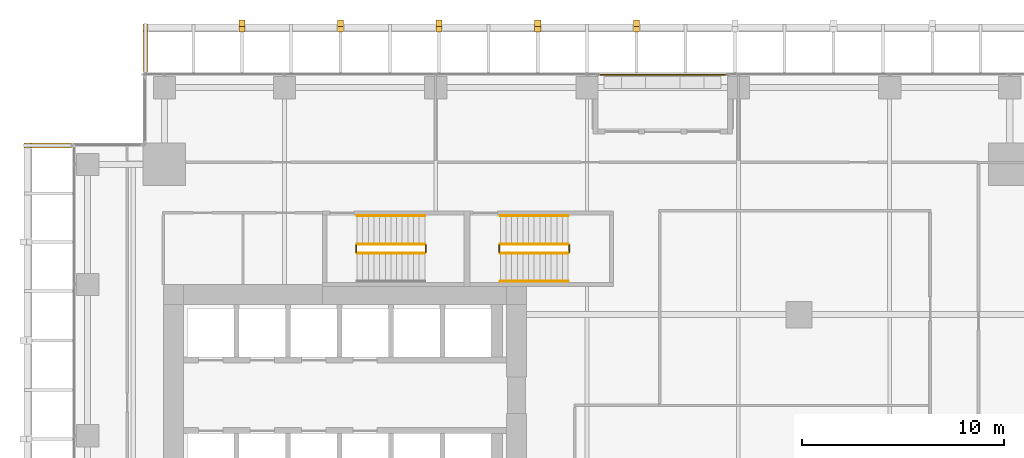
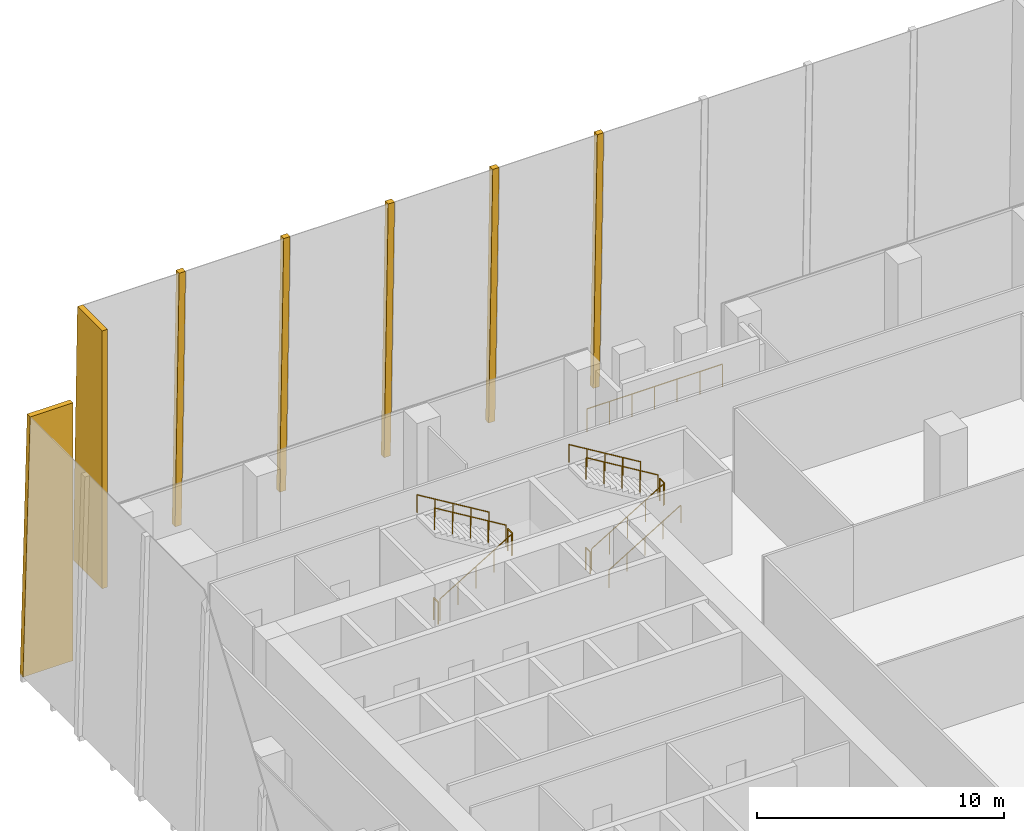
# One storey, part 32 of 34: 12 railings, 7 coverings.
"""IFC4 building model written with IfcOpenShell, lengths in metres."""

from ifc_helpers import new_model, si_unit, direction, frame, origin, origin_2d, place, context, subcontext, project, spatial, polyline, circle, outline, extrude, source, transform, mapped, material, layer, layer_set, type_object, element, save


model = new_model("IFC4")

# Units and contexts
model_context = context("Model", 3, precision=1e-05, world=origin(), true_north=direction((0.0, 1.0)))
body_context = subcontext(model_context, "Body", "Model", "MODEL_VIEW")
ifc_project = project(units=[si_unit("LENGTHUNIT", "METRE"), si_unit("AREAUNIT", "SQUARE_METRE"), si_unit("VOLUMEUNIT", "CUBIC_METRE"), si_unit("PLANEANGLEUNIT", "RADIAN"), si_unit("MASSUNIT", "GRAM", prefix="KILO")], contexts=[model_context])

# Site, building, storey
site_placement = place(None, origin())
site = spatial("IfcSite", under=ifc_project, at=site_placement, CompositionType="ELEMENT")
building_placement = place(site_placement, origin())
building = spatial("IfcBuilding", under=site, at=building_placement, Name="Khomas Fold Tower", CompositionType="ELEMENT")
storey_placement = place(building_placement, frame((0.0, 0.0, 114.699951171875)))
storey = spatial("IfcBuildingStorey", under=building, at=storey_placement, Name="L24", CompositionType="ELEMENT", Elevation=114.699951171875)

# Coverings
ifc_material_1 = material(Name="Natural stone cladding", Category="masonry")
ifc_layer = layer(ifc_material_1, 0.25)
ifc_layer_set = layer_set([ifc_layer], Name="Natural stone cladding")
covering_type = type_object("IfcCoveringType", Name="SK-Karibib marble stone mullion", PredefinedType="CLADDING", material=ifc_layer_set)
for number, where, z_axis, x_axis, name in (
    (1, (9.73876953125, 55.104248046875, 0.006591796875), (0.0, 0.999657592188, 0.026166741891), (1.0, 0.0, 0.0), "OUTER SKIN mullion L24 N2"),
    (2, (14.627685546875, 55.104248046875, 0.006591796875), (0.0, 0.999657592188, 0.026166741891), (1.0, 0.0, 0.0), "OUTER SKIN mullion L24 N4"),
    (3, (19.5166015625, 55.104248046875, 0.006591796875), (0.0, 0.999657592188, 0.026166741891), (1.0, 0.0, 0.0), "OUTER SKIN mullion L24 N6"),
    (4, (24.405517578125, 55.104248046875, 0.006591796875), (0.0, 0.999657592188, 0.026166741891), (1.0, 0.0, 0.0), "OUTER SKIN mullion L24 N8"),
    (5, (29.29443359375, 55.104248046875, 0.006591796875), (0.0, 0.999657592188, 0.026166741891), (1.0, 0.0, 0.0), "OUTER SKIN mullion L24 N10"),
):
    element("IfcCovering", number, at=place(storey_placement, frame(where, z_axis=z_axis, x_axis=x_axis)), inside=storey, type_object=covering_type, Name=name, PredefinedType="CLADDING", context=body_context, shape_type="SweptSolid", body=[
        extrude(outline(polyline([(0.0, 0.0), (0.300048828125, 0.0), (0.300048828125, -12.754367194966619), (0.0, -12.754367194966619), (0.0, 0.0)])), origin(), (0.0, 0.0, -1.0), 0.25),
    ])
covering_1_placement = place(storey_placement, frame((5.0, 52.550048828125, 12.75), z_axis=(-1.0, 0.0, 0.0), x_axis=(0.0, 1.0, 0.0)))
element("IfcCovering", 6, at=covering_1_placement, inside=storey, type_object=covering_type, Name="OUTER SKIN return L24 N1", PredefinedType="CLADDING", context=body_context, shape_type="SweptSolid", body=[
    extrude(outline(polyline([(0.0, 0.0), (2.010498046875, 0.0), (2.34423828125, 12.75), (0.0, 12.75), (0.0, 0.0)])), origin(), (0.0, 0.0, -1.0), 0.25),
])
covering_2_placement = place(storey_placement, frame((1.449951171875, 49.0, 0.0), z_axis=(0.0, 1.0, 0.0), x_axis=(-1.0, 0.0, 0.0)))
element("IfcCovering", 7, at=covering_2_placement, inside=storey, type_object=covering_type, Name="OUTER SKIN return L24 W2", PredefinedType="CLADDING", context=body_context, shape_type="SweptSolid", body=[
    extrude(outline(polyline([(0.0, 0.0), (2.34423828125, 0.0), (2.010498046875, 12.75), (0.0, 12.75), (0.0, 0.0)])), origin(), (0.0, 0.0, -1.0), 0.25),
])

# Railings
ifc_material_2 = material(Name="Powder-coated steel", Category="steel")
railing_type_1 = type_object("IfcRailingType", Name="Balcony guard", PredefinedType="GUARDRAIL", material=ifc_material_2)
shared_shape_1 = source(origin(), body_context, "Body", "SweptSolid", [
    extrude(circle(Radius=0.02490234375, at=origin_2d()), frame((0.0, 0.0, 1.125), z_axis=(1.0, 0.0, 0.0), x_axis=(0.0, 1.0, 0.0)), (0.0, 0.0, 1.0), 6.33984375),
    extrude(circle(Radius=0.02001953125, at=origin_2d()), origin(), (0.0, 0.0, 1.0), 1.099853515625),
    extrude(circle(Radius=0.02001953125, at=origin_2d()), frame((1.056640625, 0.0, 0.0)), (0.0, 0.0, 1.0), 1.099853515625),
    extrude(circle(Radius=0.02001953125, at=origin_2d()), frame((2.11328125, 0.0, 0.0)), (0.0, 0.0, 1.0), 1.099853515625),
    extrude(circle(Radius=0.02001953125, at=origin_2d()), frame((3.169921875, 0.0, 0.0)), (0.0, 0.0, 1.0), 1.099853515625),
    extrude(circle(Radius=0.02001953125, at=origin_2d()), frame((4.2265625, 0.0, 0.0)), (0.0, 0.0, 1.0), 1.099853515625),
    extrude(circle(Radius=0.02001953125, at=origin_2d()), frame((5.283203125, 0.0, 0.0)), (0.0, 0.0, 1.0), 1.099853515625),
    extrude(circle(Radius=0.02001953125, at=origin_2d()), frame((6.33984375, 0.0, 0.0)), (0.0, 0.0, 1.0), 1.099853515625),
])
railing_1_placement = place(storey_placement, frame((27.580078125, 52.39990234375, -0.044921875)))
element("IfcRailing", 8, at=railing_1_placement, inside=storey, type_object=railing_type_1, Name="Balcony guard BAL-L24-N3", PredefinedType="GUARDRAIL", context=body_context, shape_type="MappedRepresentation", body=[
    mapped(shared_shape_1, transform((0.0, 0.0, 0.0))),
])
ifc_material_3 = material(Name="Steel balustrade", Category="steel")
railing_type_2 = type_object("IfcRailingType", Name="Stair guard", PredefinedType="GUARDRAIL", material=ifc_material_3)
shared_shape_2 = source(origin(), body_context, "Body", "SweptSolid", [
    extrude(circle(Radius=0.02392578125, at=origin_2d()), frame((0.0, 0.0, 1.076171875), z_axis=(0.0, 1.0, 0.0), x_axis=(-1.0, 0.0, 0.0)), (0.0, 0.0, 1.0), 0.349853515625),
    extrude(circle(Radius=0.02099609375, at=origin_2d()), origin(), (0.0, 0.0, 1.0), 1.052001953125),
    extrude(circle(Radius=0.02099609375, at=origin_2d()), frame((0.0, 0.349853515625, 0.0)), (0.0, 0.0, 1.0), 1.052001953125),
])
for number, where, name in (
    (9, (19.010009765625, 43.60009765625, 2.199951171875), "L24 ST1 stair guard 2"),
    (10, (15.550048828125, 43.60009765625, 0.0), "L24 ST1 stair guard 4"),
    (11, (26.110107421875, 43.60009765625, 2.199951171875), "L24 ST3 stair guard 2"),
    (12, (22.64990234375, 43.60009765625, 0.0), "L24 ST3 stair guard 4"),
):
    element("IfcRailing", number, at=place(storey_placement, frame(where)), inside=storey, type_object=railing_type_2, Name=name, PredefinedType="GUARDRAIL", context=body_context, shape_type="MappedRepresentation", body=[
        mapped(shared_shape_2, transform((0.0, 0.0, 0.0))),
    ])
shared_shape_3 = source(origin(), body_context, "Body", "SweptSolid", [
    extrude(circle(Radius=0.02392578125, at=origin_2d()), frame((0.0, 0.0, 1.076171875), z_axis=(0.855820338506, 0.0, 0.51727318527), x_axis=(0.0, 1.0, 0.0)), (0.0, 0.0, 1.0), 3.92578125),
    extrude(circle(Radius=0.02099609375, at=origin_2d()), origin(), (0.0, 0.0, 1.0), 1.052001953125),
    extrude(circle(Radius=0.02099609375, at=origin_2d()), frame((0.83984375, 0.0, 0.5078125)), (0.0, 0.0, 1.0), 1.052001953125),
    extrude(circle(Radius=0.02099609375, at=origin_2d()), frame((1.679931640625, 0.0, 1.015380859375)), (0.0, 0.0, 1.0), 1.052001953125),
    extrude(circle(Radius=0.02099609375, at=origin_2d()), frame((2.52001953125, 0.0, 1.52294921875)), (0.0, 0.0, 1.0), 1.052001953125),
    extrude(circle(Radius=0.02099609375, at=origin_2d()), frame((3.35986328125, 0.0, 2.03076171875)), (0.0, 0.0, 1.0), 1.052001953125),
])
railing_2_placement = place(storey_placement, frame((15.60009765625, 43.550048828125, 0.169189453125)))
element("IfcRailing", 13, at=railing_2_placement, inside=storey, type_object=railing_type_2, Name="L24 ST1 stair guard 1", PredefinedType="GUARDRAIL", context=body_context, shape_type="MappedRepresentation", body=[
    mapped(shared_shape_3, transform((0.0, 0.0, 0.0))),
])
shared_shape_4 = source(origin(), body_context, "Body", "SweptSolid", [
    extrude(circle(Radius=0.02392578125, at=origin_2d()), frame((0.0, 0.0, 1.076171875), z_axis=(-0.855820338506, 0.0, 0.51727318527), x_axis=(0.0, -1.0, 0.0)), (0.0, 0.0, 1.0), 3.92578125),
    extrude(circle(Radius=0.02099609375, at=origin_2d()), origin(), (0.0, 0.0, 1.0), 1.052001953125),
    extrude(circle(Radius=0.02099609375, at=origin_2d()), frame((-0.83984375, 0.0, 0.5078125)), (0.0, 0.0, 1.0), 1.052001953125),
    extrude(circle(Radius=0.02099609375, at=origin_2d()), frame((-1.679931640625, 0.0, 1.015380859375)), (0.0, 0.0, 1.0), 1.052001953125),
    extrude(circle(Radius=0.02099609375, at=origin_2d()), frame((-2.52001953125, 0.0, 1.52294921875)), (0.0, 0.0, 1.0), 1.052001953125),
    extrude(circle(Radius=0.02099609375, at=origin_2d()), frame((-3.35986328125, 0.0, 2.03076171875)), (0.0, 0.0, 1.0), 1.052001953125),
])
railing_3_placement = place(storey_placement, frame((18.9599609375, 44.0, 2.369384765625)))
element("IfcRailing", 14, at=railing_3_placement, inside=storey, type_object=railing_type_2, Name="L24 ST1 stair guard 3", PredefinedType="GUARDRAIL", context=body_context, shape_type="MappedRepresentation", body=[
    mapped(shared_shape_4, transform((0.0, 0.0, 0.0))),
])
ifc_material_4 = material(Name="Steel handrail", Category="steel")
railing_type_3 = type_object("IfcRailingType", Name="Stair handrail", PredefinedType="HANDRAIL", material=ifc_material_4)
shared_shape_5 = source(origin(), body_context, "Body", "SweptSolid", [
    extrude(circle(Radius=0.02392578125, at=origin_2d()), frame((0.0, 0.0, 0.8759765625), z_axis=(-0.855820338506, 0.0, 0.51727318527), x_axis=(0.0, -1.0, 0.0)), (0.0, 0.0, 1.0), 3.92578125),
    extrude(circle(Radius=0.02099609375, at=origin_2d()), origin(), (0.0, 0.0, 1.0), 0.851806640625),
    extrude(circle(Radius=0.02099609375, at=origin_2d()), frame((-0.83984375, 0.0, 0.5078125)), (0.0, 0.0, 1.0), 0.851806640625),
    extrude(circle(Radius=0.02099609375, at=origin_2d()), frame((-1.679931640625, 0.0, 1.015380859375)), (0.0, 0.0, 1.0), 0.851806640625),
    extrude(circle(Radius=0.02099609375, at=origin_2d()), frame((-2.52001953125, 0.0, 1.52294921875)), (0.0, 0.0, 1.0), 0.851806640625),
    extrude(circle(Radius=0.02099609375, at=origin_2d()), frame((-3.35986328125, 0.0, 2.03076171875)), (0.0, 0.0, 1.0), 0.851806640625),
])
railing_4_placement = place(storey_placement, frame((18.9599609375, 45.39990234375, 2.369384765625)))
element("IfcRailing", 15, at=railing_4_placement, inside=storey, type_object=railing_type_3, Name="L24 ST1 stair handrail 2", PredefinedType="HANDRAIL", context=body_context, shape_type="MappedRepresentation", body=[
    mapped(shared_shape_5, transform((0.0, 0.0, 0.0))),
])
shared_shape_6 = source(origin(), body_context, "Body", "SweptSolid", [
    extrude(circle(Radius=0.02392578125, at=origin_2d()), frame((0.0, 0.0, 1.076171875), z_axis=(0.855836976705, 0.0, 0.517245656632), x_axis=(0.0, 1.0, 0.0)), (0.0, 0.0, 1.0), 3.926025390625),
    extrude(circle(Radius=0.02099609375, at=origin_2d()), origin(), (0.0, 0.0, 1.0), 1.052001953125),
    extrude(circle(Radius=0.02099609375, at=origin_2d()), frame((0.840087890625, 0.0, 0.5078125)), (0.0, 0.0, 1.0), 1.052001953125),
    extrude(circle(Radius=0.02099609375, at=origin_2d()), frame((1.68017578125, 0.0, 1.015380859375)), (0.0, 0.0, 1.0), 1.052001953125),
    extrude(circle(Radius=0.02099609375, at=origin_2d()), frame((2.52001953125, 0.0, 1.52294921875)), (0.0, 0.0, 1.0), 1.052001953125),
    extrude(circle(Radius=0.02099609375, at=origin_2d()), frame((3.360107421875, 0.0, 2.03076171875)), (0.0, 0.0, 1.0), 1.052001953125),
])
railing_5_placement = place(storey_placement, frame((22.699951171875, 43.550048828125, 0.169189453125)))
element("IfcRailing", 16, at=railing_5_placement, inside=storey, type_object=railing_type_2, Name="L24 ST3 stair guard 1", PredefinedType="GUARDRAIL", context=body_context, shape_type="MappedRepresentation", body=[
    mapped(shared_shape_6, transform((0.0, 0.0, 0.0))),
])
shared_shape_7 = source(origin(), body_context, "Body", "SweptSolid", [
    extrude(circle(Radius=0.02392578125, at=origin_2d()), frame((0.0, 0.0, 1.076171875), z_axis=(-0.855836976705, 0.0, 0.517245656632), x_axis=(0.0, -1.0, 0.0)), (0.0, 0.0, 1.0), 3.926025390625),
    extrude(circle(Radius=0.02099609375, at=origin_2d()), origin(), (0.0, 0.0, 1.0), 1.052001953125),
    extrude(circle(Radius=0.02099609375, at=origin_2d()), frame((-0.840087890625, 0.0, 0.5078125)), (0.0, 0.0, 1.0), 1.052001953125),
    extrude(circle(Radius=0.02099609375, at=origin_2d()), frame((-1.68017578125, 0.0, 1.015380859375)), (0.0, 0.0, 1.0), 1.052001953125),
    extrude(circle(Radius=0.02099609375, at=origin_2d()), frame((-2.52001953125, 0.0, 1.52294921875)), (0.0, 0.0, 1.0), 1.052001953125),
    extrude(circle(Radius=0.02099609375, at=origin_2d()), frame((-3.360107421875, 0.0, 2.03076171875)), (0.0, 0.0, 1.0), 1.052001953125),
])
railing_6_placement = place(storey_placement, frame((26.06005859375, 44.0, 2.369384765625)))
element("IfcRailing", 17, at=railing_6_placement, inside=storey, type_object=railing_type_2, Name="L24 ST3 stair guard 3", PredefinedType="GUARDRAIL", context=body_context, shape_type="MappedRepresentation", body=[
    mapped(shared_shape_7, transform((0.0, 0.0, 0.0))),
])
shared_shape_8 = source(origin(), body_context, "Body", "SweptSolid", [
    extrude(circle(Radius=0.02392578125, at=origin_2d()), frame((0.0, 0.0, 0.8759765625), z_axis=(0.855836976705, 0.0, 0.517245656632), x_axis=(0.0, 1.0, 0.0)), (0.0, 0.0, 1.0), 3.926025390625),
    extrude(circle(Radius=0.02099609375, at=origin_2d()), origin(), (0.0, 0.0, 1.0), 0.851806640625),
    extrude(circle(Radius=0.02099609375, at=origin_2d()), frame((0.840087890625, 0.0, 0.5078125)), (0.0, 0.0, 1.0), 0.851806640625),
    extrude(circle(Radius=0.02099609375, at=origin_2d()), frame((1.68017578125, 0.0, 1.015380859375)), (0.0, 0.0, 1.0), 0.851806640625),
    extrude(circle(Radius=0.02099609375, at=origin_2d()), frame((2.52001953125, 0.0, 1.52294921875)), (0.0, 0.0, 1.0), 0.851806640625),
    extrude(circle(Radius=0.02099609375, at=origin_2d()), frame((3.360107421875, 0.0, 2.03076171875)), (0.0, 0.0, 1.0), 0.851806640625),
])
railing_7_placement = place(storey_placement, frame((22.699951171875, 42.14990234375, 0.169189453125)))
element("IfcRailing", 18, at=railing_7_placement, inside=storey, type_object=railing_type_3, Name="L24 ST3 stair handrail 1", PredefinedType="HANDRAIL", context=body_context, shape_type="MappedRepresentation", body=[
    mapped(shared_shape_8, transform((0.0, 0.0, 0.0))),
])
shared_shape_9 = source(origin(), body_context, "Body", "SweptSolid", [
    extrude(circle(Radius=0.02392578125, at=origin_2d()), frame((0.0, 0.0, 0.8759765625), z_axis=(-0.855836976705, 0.0, 0.517245656632), x_axis=(0.0, -1.0, 0.0)), (0.0, 0.0, 1.0), 3.926025390625),
    extrude(circle(Radius=0.02099609375, at=origin_2d()), origin(), (0.0, 0.0, 1.0), 0.851806640625),
    extrude(circle(Radius=0.02099609375, at=origin_2d()), frame((-0.840087890625, 0.0, 0.5078125)), (0.0, 0.0, 1.0), 0.851806640625),
    extrude(circle(Radius=0.02099609375, at=origin_2d()), frame((-1.68017578125, 0.0, 1.015380859375)), (0.0, 0.0, 1.0), 0.851806640625),
    extrude(circle(Radius=0.02099609375, at=origin_2d()), frame((-2.52001953125, 0.0, 1.52294921875)), (0.0, 0.0, 1.0), 0.851806640625),
    extrude(circle(Radius=0.02099609375, at=origin_2d()), frame((-3.360107421875, 0.0, 2.03076171875)), (0.0, 0.0, 1.0), 0.851806640625),
])
railing_8_placement = place(storey_placement, frame((26.06005859375, 45.39990234375, 2.369384765625)))
element("IfcRailing", 19, at=railing_8_placement, inside=storey, type_object=railing_type_3, Name="L24 ST3 stair handrail 2", PredefinedType="HANDRAIL", context=body_context, shape_type="MappedRepresentation", body=[
    mapped(shared_shape_9, transform((0.0, 0.0, 0.0))),
])

save(model, "model.ifc")
